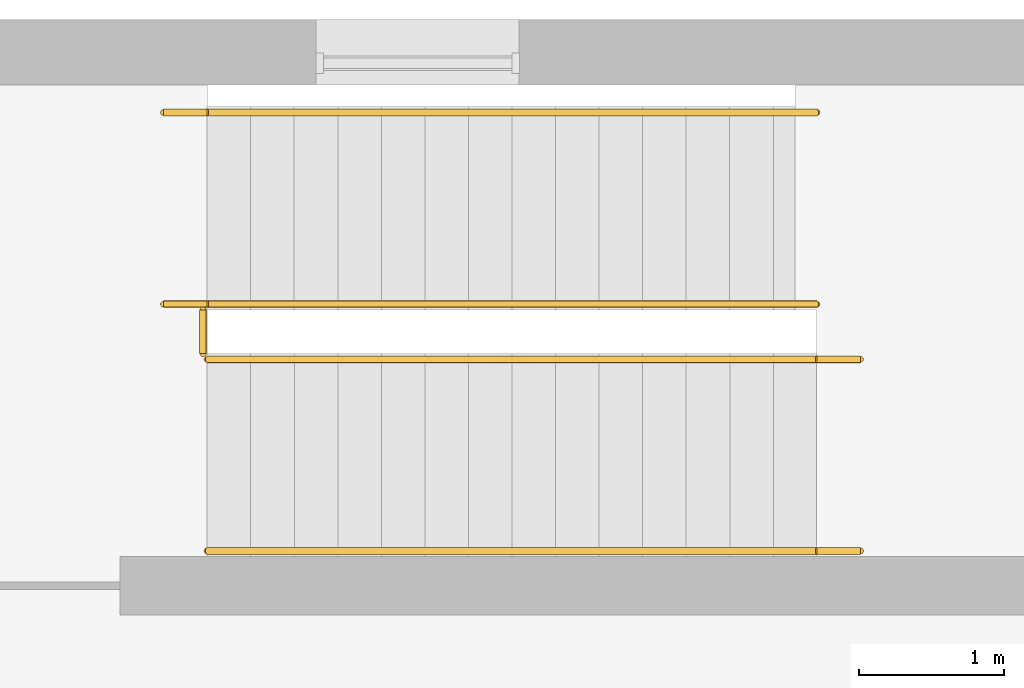
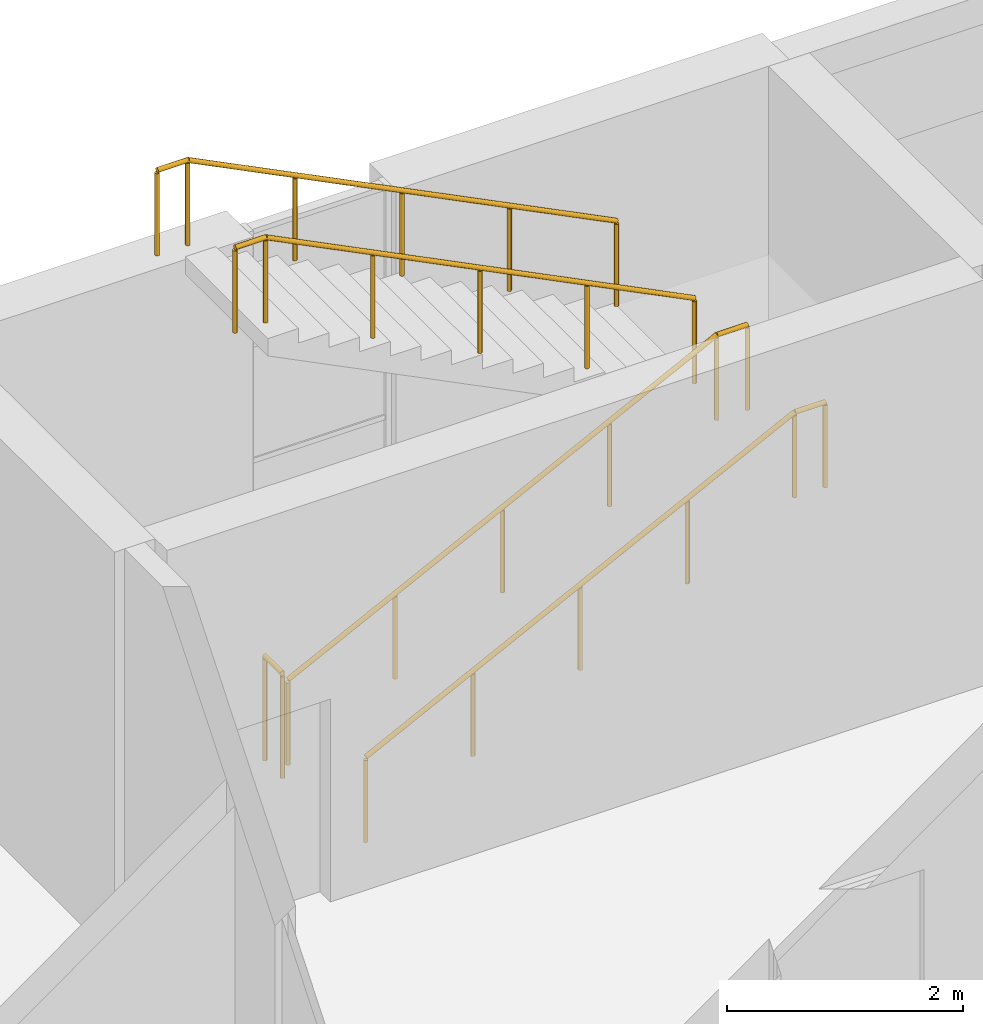
# One storey, part 61 of 66: 5 railings.
"""IFC4 building model written with IfcOpenShell, lengths in metres."""

from ifc_helpers import new_model, si_unit, direction, frame, origin, origin_2d, place, context, subcontext, project, spatial, circle, extrude, material, type_object, element, save


model = new_model("IFC4")

# Units and contexts
model_context = context("Model", 3, precision=1e-05, world=origin(), true_north=direction((0.0, 1.0)))
body_context = subcontext(model_context, "Body", "Model", "MODEL_VIEW")
ifc_project = project(units=[si_unit("LENGTHUNIT", "METRE"), si_unit("AREAUNIT", "SQUARE_METRE"), si_unit("VOLUMEUNIT", "CUBIC_METRE"), si_unit("PLANEANGLEUNIT", "RADIAN"), si_unit("MASSUNIT", "GRAM", prefix="KILO")], contexts=[model_context])

# Site, building, storey
site_placement = place(None, origin())
site = spatial("IfcSite", under=ifc_project, at=site_placement, CompositionType="ELEMENT")
building_placement = place(site_placement, origin())
building = spatial("IfcBuilding", under=site, at=building_placement, Name="Yavir Park General Hospital", CompositionType="ELEMENT")
storey_placement = place(building_placement, frame((0.0, 0.0, 8.39990234375)))
storey = spatial("IfcBuildingStorey", under=building, at=storey_placement, Name="L02", CompositionType="ELEMENT", Elevation=8.39990234375)

# Railings
ifc_material_1 = material(Name="Steel balustrade with infill rods", Category="steel")
railing_type_1 = type_object("IfcRailingType", Name="Stair guard, steel balustrade 1100 mm", PredefinedType="GUARDRAIL", material=ifc_material_1)
railing_placement = place(storey_placement, frame((111.570068359375, 31.60009765625, 0.0)))
element("IfcRailing", 1, at=railing_placement, inside=storey, type_object=railing_type_1, Name="Stair well guard PN2 L02", PredefinedType="GUARDRAIL", context=body_context, shape_type="SweptSolid", body=[
    extrude(circle(Radius=0.02392578125, at=origin_2d()), frame((0.0, 0.0, 1.076171875), z_axis=(0.0, 1.0, 0.0), x_axis=(-1.0, 0.0, 0.0)), (0.0, 0.0, 1.0), 0.2998046875),
    extrude(circle(Radius=0.02099609375, at=origin_2d()), origin(), (0.0, 0.0, 1.0), 1.052001953125),
    extrude(circle(Radius=0.02099609375, at=origin_2d()), frame((0.0, 0.2998046875, 0.0)), (0.0, 0.0, 1.0), 1.052001953125),
])
ifc_material_2 = material(Name="Stainless steel tube 48 mm", Category="steel")
railing_type_2 = type_object("IfcRailingType", Name="Stair handrail, steel tube, 900 mm above the nosings", PredefinedType="HANDRAIL", material=ifc_material_2)
for number, where, name in (
    (2, (111.60009765625, 30.239990234375, 0.150146484375), "Handrail PN2 L02 1"),
    (3, (111.60009765625, 31.56005859375, 0.150146484375), "Handrail PN2 L02 2"),
):
    element("IfcRailing", number, at=place(storey_placement, frame(where)), inside=storey, type_object=railing_type_2, Name=name, PredefinedType="HANDRAIL", context=body_context, shape_type="SweptSolid", body=[
        extrude(circle(Radius=0.02392578125, at=origin_2d()), frame((0.0, 0.0, 0.8759765625), z_axis=(0.894437589381, 0.0, 0.447192798132), x_axis=(0.0, 1.0, 0.0)), (0.0, 0.0, 1.0), 4.695556640625),
        extrude(circle(Radius=0.02392578125, at=origin_2d()), frame((4.199951171875, 0.0, 2.9755859375), z_axis=(1.0, 0.0, 0.0), x_axis=(0.0, 1.0, 0.0)), (0.0, 0.0, 1.0), 0.300048828125),
        extrude(circle(Radius=0.02099609375, at=origin_2d()), origin(), (0.0, 0.0, 1.0), 0.851806640625),
        extrude(circle(Radius=0.02099609375, at=origin_2d()), frame((1.050048828125, 0.0, 0.52490234375)), (0.0, 0.0, 1.0), 0.851806640625),
        extrude(circle(Radius=0.02099609375, at=origin_2d()), frame((2.10009765625, 0.0, 1.0498046875)), (0.0, 0.0, 1.0), 0.851806640625),
        extrude(circle(Radius=0.02099609375, at=origin_2d()), frame((3.14990234375, 0.0, 1.574951171875)), (0.0, 0.0, 1.0), 0.851806640625),
        extrude(circle(Radius=0.02099609375, at=origin_2d()), frame((4.199951171875, 0.0, 2.099853515625)), (0.0, 0.0, 1.0), 0.851806640625),
        extrude(circle(Radius=0.02099609375, at=origin_2d()), frame((4.5, 0.0, 2.099853515625)), (0.0, 0.0, 1.0), 0.851806640625),
    ])
for number, where, name in (
    (4, (115.800048828125, 33.260009765625, 2.400146484375), "Handrail PN2 L02 3"),
    (5, (115.800048828125, 31.93994140625, 2.400146484375), "Handrail PN2 L02 4"),
):
    element("IfcRailing", number, at=place(storey_placement, frame(where)), inside=storey, type_object=railing_type_2, Name=name, PredefinedType="HANDRAIL", context=body_context, shape_type="SweptSolid", body=[
        extrude(circle(Radius=0.02392578125, at=origin_2d()), frame((0.0, 0.0, 0.8759765625), z_axis=(-0.894437589381, 0.0, 0.447192798132), x_axis=(0.0, -1.0, 0.0)), (0.0, 0.0, 1.0), 4.695556640625),
        extrude(circle(Radius=0.02392578125, at=origin_2d()), frame((-4.199951171875, 0.0, 2.9755859375), z_axis=(-1.0, 0.0, 0.0), x_axis=(0.0, -1.0, 0.0)), (0.0, 0.0, 1.0), 0.300048828125),
        extrude(circle(Radius=0.02099609375, at=origin_2d()), origin(), (0.0, 0.0, 1.0), 0.851806640625),
        extrude(circle(Radius=0.02099609375, at=origin_2d()), frame((-1.050048828125, 0.0, 0.52490234375)), (0.0, 0.0, 1.0), 0.851806640625),
        extrude(circle(Radius=0.02099609375, at=origin_2d()), frame((-2.10009765625, 0.0, 1.0498046875)), (0.0, 0.0, 1.0), 0.851806640625),
        extrude(circle(Radius=0.02099609375, at=origin_2d()), frame((-3.14990234375, 0.0, 1.574951171875)), (0.0, 0.0, 1.0), 0.851806640625),
        extrude(circle(Radius=0.02099609375, at=origin_2d()), frame((-4.199951171875, 0.0, 2.099853515625)), (0.0, 0.0, 1.0), 0.851806640625),
        extrude(circle(Radius=0.02099609375, at=origin_2d()), frame((-4.5, 0.0, 2.099853515625)), (0.0, 0.0, 1.0), 0.851806640625),
    ])

save(model, "model.ifc")
